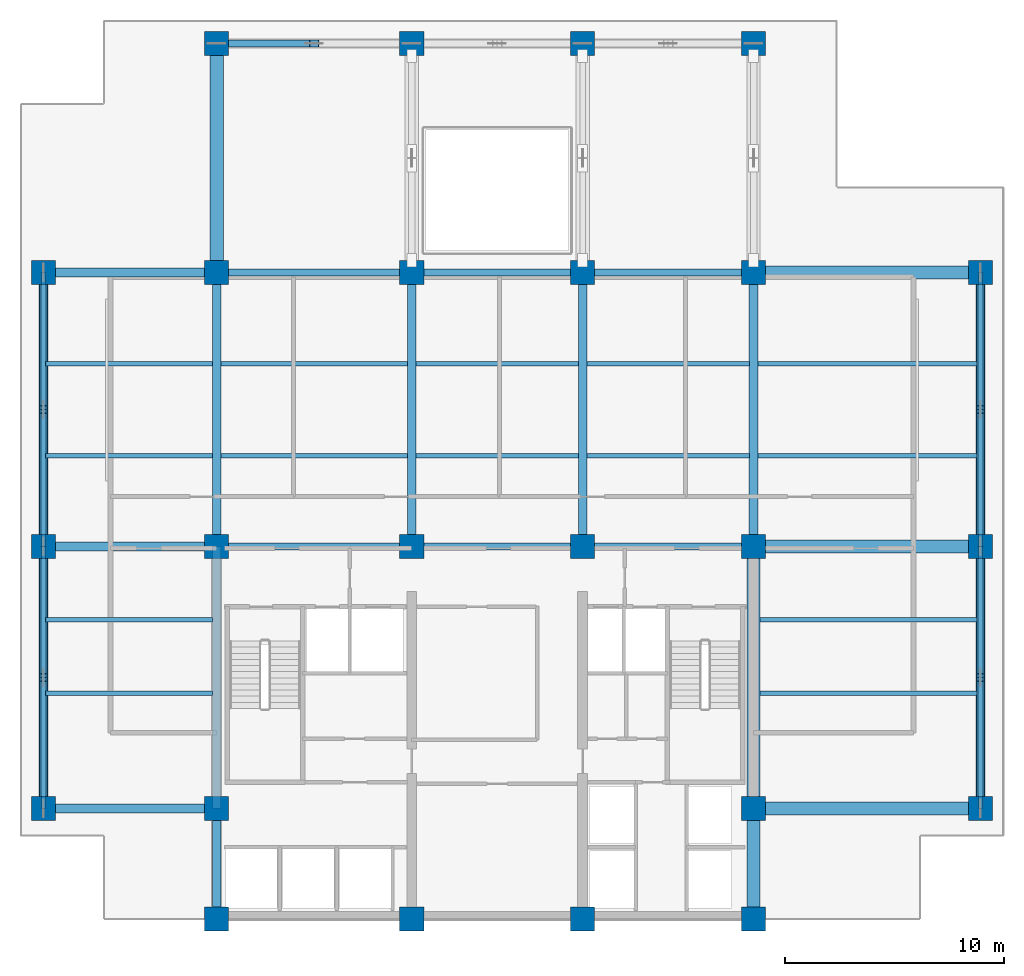
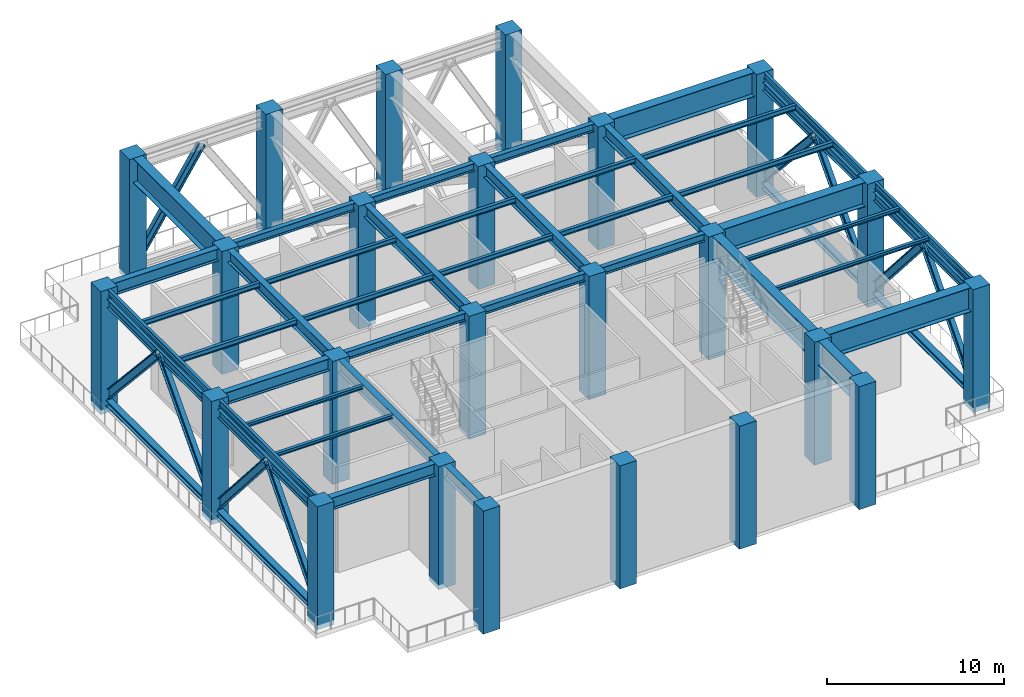
# One storey, part 1 of 7: 39 beams, 24 columns, 17 members.
"""IFC4 building model written with IfcOpenShell, lengths in metres."""

import ifcopenshell
import ifcopenshell.guid

model = None  # the IFC model being written
_history = None  # IfcOwnerHistory: only IFC2X3 demands one
_inside = {}  # id of a spatial element -> (the spatial element, [elements in it])
_under = {}  # id of a project, library or spatial element -> (it, [spatial elements below it])
_declared = {}  # id of a project -> (the project, [libraries it declares])
_typed = {}  # id of a type object -> (the type object, [elements of that type])
_made_of = {}  # id of a material, layer set ... -> (it, [elements and type objects made of it])


def new_model(schema):
    """Start an empty IFC model of exactly this schema.

    Asked for "IFC4X3", IfcOpenShell would pick the latest addendum, in which some entities
    have other attributes; the version numbers below select the first issue.
    IFC2X3 requires an IfcOwnerHistory on every rooted entity: one is made here for all.
    """
    global model, _history
    if schema == "IFC4X3":
        model = ifcopenshell.file(schema_version=(4, 3, 0, 0))
    else:
        model = ifcopenshell.file(schema=schema)
    _inside.clear()
    _under.clear()
    _declared.clear()
    _typed.clear()
    _made_of.clear()
    _history = None
    if model.schema == "IFC2X3":
        org = make("IfcOrganization", Name="unknown")
        user = make(
            "IfcPersonAndOrganization",
            ThePerson=make("IfcPerson", FamilyName="unknown"),
            TheOrganization=org,
        )
        app = make(
            "IfcApplication",
            ApplicationDeveloper=org,
            Version="unknown",
            ApplicationFullName="unknown",
            ApplicationIdentifier="unknown",
        )
        _history = make(
            "IfcOwnerHistory",
            OwningUser=user,
            OwningApplication=app,
            ChangeAction="ADDED",
            CreationDate=0,
        )
    return model


def make(cls, **values):
    """One entity of the class cls with the attributes given. An attribute that is None is left unset."""
    return model.create_entity(
        cls, **{name: value for name, value in values.items() if value is not None}
    )


def rooted(cls, **values):
    """An entity with a GlobalId (a new one), such as an element, a storey or a relation."""
    return make(cls, GlobalId=ifcopenshell.guid.new(), OwnerHistory=_history, **values)


def si_unit(unit_type, name, prefix=None):
    """IfcSIUnit, for example si_unit("LENGTHUNIT", "METRE", prefix="MILLI")."""
    return make("IfcSIUnit", UnitType=unit_type, Prefix=prefix, Name=name)


def assignment(units):
    """IfcUnitAssignment: the units of a project."""
    return None if units is None else make("IfcUnitAssignment", Units=units)


def point(xyz):
    """IfcCartesianPoint."""
    return None if xyz is None else make("IfcCartesianPoint", Coordinates=xyz)


def direction(xyz):
    """IfcDirection."""
    return None if xyz is None else make("IfcDirection", DirectionRatios=xyz)


def frame(location, z_axis=None, x_axis=None):
    """IfcAxis2Placement3D, a coordinate frame: its origin and axes. An axis left out is left unset."""
    return make(
        "IfcAxis2Placement3D",
        Location=point(location),
        Axis=direction(z_axis),
        RefDirection=direction(x_axis),
    )


def frame_2d(location, x_axis=None):
    """IfcAxis2Placement2D, a coordinate frame in the plane: its origin and x axis."""
    return make(
        "IfcAxis2Placement2D", Location=point(location), RefDirection=direction(x_axis)
    )


def origin():
    """The frame at (0, 0, 0) with its axes left unset."""
    return frame((0.0, 0.0, 0.0))


def origin_2d():
    """The frame at (0, 0) in the plane with its x axis left unset."""
    return frame_2d((0.0, 0.0))


def place(relative_to, where):
    """IfcLocalPlacement: puts the frame where relative to a parent placement (None: the world)."""
    return make(
        "IfcLocalPlacement", PlacementRelTo=relative_to, RelativePlacement=where
    )


def context(
    kind, dimensions, precision=None, world=None, true_north=None, identifier=None
):
    """IfcGeometricRepresentationContext, for example the 3D "Model" context."""
    return make(
        "IfcGeometricRepresentationContext",
        ContextIdentifier=identifier,
        ContextType=kind,
        CoordinateSpaceDimension=dimensions,
        Precision=precision,
        WorldCoordinateSystem=world,
        TrueNorth=true_north,
    )


def subcontext(parent, identifier, kind, view, scale=None):
    """IfcGeometricRepresentationSubContext, for example "Body" below "Model"."""
    return make(
        "IfcGeometricRepresentationSubContext",
        ContextIdentifier=identifier,
        ContextType=kind,
        ParentContext=parent,
        TargetScale=scale,
        TargetView=view,
    )


def project(units=None, contexts=None):
    """IfcProject with its units and contexts."""
    return rooted(
        "IfcProject",
        Name="project",
        RepresentationContexts=contexts,
        UnitsInContext=assignment(units),
    )


def spatial(cls, under=None, at=None, **own):
    """A site, building, storey or space (cls), placed at a placement, below another one or the project."""
    s = rooted(cls, ObjectPlacement=at, **own)
    if under is not None:
        _under.setdefault(under.id(), (under, []))[1].append(s)
    return s


def profile(cls, at=None, kind="AREA", **sizes):
    """A parametric profile (cls). Its sizes go by their IFC names, for example OverallWidth=200.0."""
    return make(cls, ProfileType=kind, Position=at, **sizes)


def rectangle(**sizes):
    """IfcRectangleProfileDef."""
    return profile("IfcRectangleProfileDef", **sizes)


def i_section(**sizes):
    """IfcIShapeProfileDef."""
    return profile("IfcIShapeProfileDef", **sizes)


def extrude(swept, where, along, depth):
    """IfcExtrudedAreaSolid: the profile swept, set in the frame where, extruded along a direction by depth."""
    return make(
        "IfcExtrudedAreaSolid",
        SweptArea=swept,
        Position=where,
        ExtrudedDirection=direction(along),
        Depth=depth,
    )


def shape(context_of_items, identifier, shape_type, items):
    """IfcShapeRepresentation: the items that make up one representation, for example the "Body"."""
    return make(
        "IfcShapeRepresentation",
        ContextOfItems=context_of_items,
        RepresentationIdentifier=identifier,
        RepresentationType=shape_type,
        Items=items,
    )


def material(Name=None, Category=None):
    """IfcMaterial."""
    return make("IfcMaterial", Name=Name, Category=Category)


def material_profile(
    of_material, cross_section, Name=None, Category=None, Priority=None
):
    """IfcMaterialProfile: a cross section and its material."""
    return make(
        "IfcMaterialProfile",
        Name=Name,
        Material=of_material,
        Profile=cross_section,
        Priority=Priority,
        Category=Category,
    )


def profile_set(profiles, Name=None, composite=None):
    """IfcMaterialProfileSet."""
    return make(
        "IfcMaterialProfileSet",
        Name=Name,
        MaterialProfiles=profiles,
        CompositeProfile=composite,
    )


def made_of(thing, what):
    """Note that an element or type object is made of a material, layer set ...; save() writes the relation."""
    if what is not None:
        _made_of.setdefault(what.id(), (what, []))[1].append(thing)
    return thing


def type_object(cls, material=None, **own):
    """A type object (cls), such as IfcWallType, which elements share."""
    return made_of(rooted(cls, **own), material)


def element(
    cls,
    number,
    at=None,
    inside=None,
    cuts=None,
    type_object=None,
    material=None,
    context=None,
    identifier="Body",
    shape_type=None,
    held_by="IfcProductDefinitionShape",
    body=None,
    shapes=None,
    **own,
):
    """One element of the class cls, such as IfcWall. Its Tag is "e" and its number.

    at: its placement. inside: the storey or other place that contains it. cuts: it is an
    opening in that element (IfcRelVoidsElement). A single representation is given by context,
    identifier, shape_type and body (its items); several are given by shapes. held_by: the class
    of the entity that holds the representations. save() writes the other relations.
    """
    e = rooted(cls, Tag="e%d" % number, ObjectPlacement=at, **own)
    if body is not None:
        shapes = [shape(context, identifier, shape_type, body)]
    if shapes is not None:
        e.Representation = make(held_by, Representations=shapes)
    if inside is not None:
        _inside.setdefault(inside.id(), (inside, []))[1].append(e)
    if cuts is not None:
        rooted(
            "IfcRelVoidsElement", RelatingBuildingElement=cuts, RelatedOpeningElement=e
        )
    if type_object is not None:
        _typed.setdefault(type_object.id(), (type_object, []))[1].append(e)
    return made_of(e, material)


def aggregate(whole, parts):
    """IfcRelAggregates: a whole, such as a stair, and the parts it consists of."""
    return rooted("IfcRelAggregates", RelatingObject=whole, RelatedObjects=parts)


def save(model, path):
    """Write the relations noted so far, then the file.

    IfcRelAggregates (storeys below a building ...), IfcRelContainedInSpatialStructure (elements
    in a storey), IfcRelDefinesByType, IfcRelAssociatesMaterial and IfcRelDeclares: one each for
    every whole, place, type object, material and project.
    """
    for whole, parts in _under.values():
        aggregate(whole, parts)
    for where, things in _inside.values():
        rooted(
            "IfcRelContainedInSpatialStructure",
            RelatedElements=things,
            RelatingStructure=where,
        )
    for kind, things in _typed.values():
        rooted("IfcRelDefinesByType", RelatedObjects=things, RelatingType=kind)
    for what, things in _made_of.values():
        rooted("IfcRelAssociatesMaterial", RelatedObjects=things, RelatingMaterial=what)
    for by, libraries in _declared.values():
        rooted("IfcRelDeclares", RelatingContext=by, RelatedDefinitions=libraries)
    model.write(path)


model = new_model("IFC4")

# Units and contexts
model_context = context("Model", 3, precision=1e-05, world=origin(), true_north=direction((0.0, 1.0)))
body_context = subcontext(model_context, "Body", "Model", "MODEL_VIEW")
ifc_project = project(units=[si_unit("LENGTHUNIT", "METRE"), si_unit("AREAUNIT", "SQUARE_METRE"), si_unit("VOLUMEUNIT", "CUBIC_METRE"), si_unit("PLANEANGLEUNIT", "RADIAN"), si_unit("MASSUNIT", "GRAM", prefix="KILO")], contexts=[model_context])

# Site, building, storey
site_placement = place(None, origin())
site = spatial("IfcSite", under=ifc_project, at=site_placement, CompositionType="ELEMENT")
building_placement = place(site_placement, origin())
building = spatial("IfcBuilding", under=site, at=building_placement, Name="Qalmaran Belvedere Hotel", CompositionType="ELEMENT")
storey_placement = place(building_placement, frame((0.0, 0.0, 184.10009765625)))
storey = spatial("IfcBuildingStorey", under=building, at=storey_placement, Name="L47", CompositionType="ELEMENT", Elevation=184.10009765625)

# Columns
ifc_material_1 = material(Name="Concrete C50/60", Category="concrete")
ifc_material_profile_1 = material_profile(ifc_material_1, rectangle(XDim=1.10009765625, YDim=1.10009765625, at=origin_2d()), Name="CC1100X1100")
ifc_profile_set_1 = profile_set([ifc_material_profile_1], Name="Concrete C50/60")
column_type = type_object("IfcColumnType", Name="COL-Z3-CC1100", PredefinedType="COLUMN", material=ifc_profile_set_1)
for number, where, z_axis, x_axis, name in (
    (1, (20.300048828125, 3.5, -0.320068359375), (0.0, 0.0, 1.0), (1.0, 0.0, 0.0), "L47 Column C4B"),
    (2, (29.199951171875, 3.5, -0.320068359375), (0.0, 0.0, 1.0), (1.0, 0.0, 0.0), "L47 Column C5B"),
    (3, (37.0, 3.5, -0.320068359375), (0.0, 0.0, 1.0), (1.0, 0.0, 0.0), "L47 Column C6B"),
    (4, (44.800048828125, 3.5, -0.320068359375), (0.0, 0.0, 1.0), (1.0, 0.0, 0.0), "L47 Column C7B"),
    (5, (20.300048828125, 8.550048828125, -0.320068359375), (0.0, 0.0, 1.0), (1.0, 0.0, 0.0), "L47 Column C4C"),
    (6, (44.800048828125, 8.550048828125, -0.320068359375), (0.0, 0.0, 1.0), (1.0, 0.0, 0.0), "L47 Column C7C"),
    (7, (20.300048828125, 20.5, -0.320068359375), (0.0, 0.0, 1.0), (1.0, 0.0, 0.0), "L47 Column C4D"),
    (8, (29.199951171875, 20.5, -0.320068359375), (0.0, 0.0, 1.0), (1.0, 0.0, 0.0), "L47 Column C5D"),
    (9, (37.0, 20.5, -0.320068359375), (0.0, 0.0, 1.0), (1.0, 0.0, 0.0), "L47 Column C6D"),
    (10, (44.800048828125, 20.5, -0.320068359375), (0.0, 0.0, 1.0), (1.0, 0.0, 0.0), "L47 Column C7D"),
    (11, (20.300048828125, 33.0, -0.320068359375), (0.0, 0.0, 1.0), (1.0, 0.0, 0.0), "L47 Column C4F"),
    (12, (29.199951171875, 33.0, -0.320068359375), (0.0, 0.0, 1.0), (1.0, 0.0, 0.0), "L47 Column C5F"),
    (13, (37.0, 33.0, -0.320068359375), (0.0, 0.0, 1.0), (1.0, 0.0, 0.0), "L47 Column C6F"),
    (14, (44.800048828125, 33.0, -0.320068359375), (0.0, 0.0, 1.0), (1.0, 0.0, 0.0), "L47 Column C7F"),
    (15, (12.39990234375, 8.550048828125, -0.320068359375), (0.0, 0.0, 1.0), (1.0, 0.0, 0.0), "L47 Column CW1"),
    (16, (12.39990234375, 20.5, -0.320068359375), (0.0, 0.0, 1.0), (1.0, 0.0, 0.0), "L47 Column CW3"),
    (17, (12.39990234375, 33.0, -0.320068359375), (0.0, 0.0, 1.0), (1.0, 0.0, 0.0), "L47 Column CW4"),
    (18, (55.14990234375, 8.550048828125, -0.320068359375), (0.0, 0.0, 1.0), (1.0, 0.0, 0.0), "L47 Column CE1"),
    (19, (55.14990234375, 20.5, -0.320068359375), (0.0, 0.0, 1.0), (1.0, 0.0, 0.0), "L47 Column CE3"),
    (20, (55.14990234375, 33.0, -0.320068359375), (0.0, 0.0, 1.0), (1.0, 0.0, 0.0), "L47 Column CE4"),
    (21, (20.300048828125, 43.449951171875, -0.320068359375), (0.0, 0.0, 1.0), (1.0, 0.0, 0.0), "L47 Column CN1"),
    (22, (29.199951171875, 43.449951171875, -0.320068359375), (0.0, 0.0, 1.0), (1.0, 0.0, 0.0), "L47 Column CN2"),
    (23, (37.0, 43.449951171875, -0.320068359375), (0.0, 0.0, 1.0), (1.0, 0.0, 0.0), "L47 Column CN3"),
    (24, (44.800048828125, 43.449951171875, -0.320068359375), (0.0, 0.0, 1.0), (1.0, 0.0, 0.0), "L47 Column CN4"),
):
    element("IfcColumn", number, at=place(storey_placement, frame(where, z_axis=z_axis, x_axis=x_axis)), inside=storey, type_object=column_type, Name=name, PredefinedType="COLUMN", context=body_context, shape_type="SweptSolid", body=[
        extrude(rectangle(XDim=1.10009765625, YDim=1.10009765625, at=origin_2d()), origin(), (0.0, 0.0, 1.0), 8.47998046875),
    ])

# Beams
ifc_material_2 = material(Name="Steel S355JR", Category="steel")
ifc_material_profile_2 = material_profile(ifc_material_2, i_section(OverallWidth=0.201904296875, OverallDepth=0.2470703125, WebThickness=0.00732421875, FlangeThickness=0.010986328125, FilletRadius=0.011962890625, at=origin_2d()), Name="W250X49")
ifc_profile_set_2 = profile_set([ifc_material_profile_2], Name="Steel S355JR")
beam_type_1 = type_object("IfcBeamType", Name="BM-JST-W250X49", PredefinedType="JOIST", material=ifc_profile_set_2)
beam_1_placement = place(storey_placement, frame((12.493896484375, 13.800048828125, 8.036376953125), z_axis=(1.0, 0.0, 0.0), x_axis=(0.0, 1.0, 0.0)))
element("IfcBeam", 25, at=beam_1_placement, inside=storey, type_object=beam_type_1, Name="L47 West Wing Joist 038", PredefinedType="JOIST", context=body_context, shape_type="SweptSolid", body=[
    extrude(i_section(OverallWidth=0.201904296875, OverallDepth=0.2470703125, WebThickness=0.00732421875, FlangeThickness=0.010986328125, FilletRadius=0.011962890625, at=origin_2d()), origin(), (0.0, 0.0, 1.0), 7.608154296875),
])
beam_2_placement = place(storey_placement, frame((45.097900390625, 13.800048828125, 8.036376953125), z_axis=(1.0, 0.0, 0.0), x_axis=(0.0, 1.0, 0.0)))
element("IfcBeam", 26, at=beam_2_placement, inside=storey, type_object=beam_type_1, Name="L47 East Wing Joist 039", PredefinedType="JOIST", context=body_context, shape_type="SweptSolid", body=[
    extrude(i_section(OverallWidth=0.201904296875, OverallDepth=0.2470703125, WebThickness=0.00732421875, FlangeThickness=0.010986328125, FilletRadius=0.011962890625, at=origin_2d()), origin(), (0.0, 0.0, 1.0), 9.9580078125),
])
beam_3_placement = place(storey_placement, frame((12.493896484375, 17.14990234375, 8.036376953125), z_axis=(1.0, 0.0, 0.0), x_axis=(0.0, 1.0, 0.0)))
element("IfcBeam", 27, at=beam_3_placement, inside=storey, type_object=beam_type_1, Name="L47 West Wing Joist 040", PredefinedType="JOIST", context=body_context, shape_type="SweptSolid", body=[
    extrude(i_section(OverallWidth=0.201904296875, OverallDepth=0.2470703125, WebThickness=0.00732421875, FlangeThickness=0.010986328125, FilletRadius=0.011962890625, at=origin_2d()), origin(), (0.0, 0.0, 1.0), 7.608154296875),
])
beam_4_placement = place(storey_placement, frame((45.097900390625, 17.14990234375, 8.036376953125), z_axis=(1.0, 0.0, 0.0), x_axis=(0.0, 1.0, 0.0)))
element("IfcBeam", 28, at=beam_4_placement, inside=storey, type_object=beam_type_1, Name="L47 East Wing Joist 041", PredefinedType="JOIST", context=body_context, shape_type="SweptSolid", body=[
    extrude(i_section(OverallWidth=0.201904296875, OverallDepth=0.2470703125, WebThickness=0.00732421875, FlangeThickness=0.010986328125, FilletRadius=0.011962890625, at=origin_2d()), origin(), (0.0, 0.0, 1.0), 9.9580078125),
])
ifc_material_profile_3 = material_profile(ifc_material_2, i_section(OverallWidth=0.39990234375, OverallDepth=0.85498046875, WebThickness=0.018310546875, FlangeThickness=0.029296875, FilletRadius=0.02392578125, at=origin_2d()), Name="W840X299")
ifc_profile_set_3 = profile_set([ifc_material_profile_3], Name="Steel S355JR")
beam_type_2 = type_object("IfcBeamType", Name="BM-PG3-W840X299", PredefinedType="USERDEFINED", material=ifc_profile_set_3)
for number, where, z_axis, x_axis, name in (
    (29, (20.300048828125, 20.5, 7.732421875), (0.0, 1.0, 0.0), (-1.0, 0.0, 0.0), "L47 Mid-Plate N-S Girder 14"),
    (30, (29.199951171875, 20.5, 7.732421875), (0.0, 1.0, 0.0), (-1.0, 0.0, 0.0), "L47 Mid-Plate N-S Girder 16"),
    (31, (37.0, 20.5, 7.732421875), (0.0, 1.0, 0.0), (-1.0, 0.0, 0.0), "L47 Mid-Plate N-S Girder 18"),
    (32, (44.800048828125, 20.5, 7.732421875), (0.0, 1.0, 0.0), (-1.0, 0.0, 0.0), "L47 Mid-Plate N-S Girder 20"),
):
    element("IfcBeam", number, at=place(storey_placement, frame(where, z_axis=z_axis, x_axis=x_axis)), inside=storey, type_object=beam_type_2, Name=name, ObjectType="GIRDER", PredefinedType="USERDEFINED", context=body_context, shape_type="SweptSolid", body=[
        extrude(i_section(OverallWidth=0.39990234375, OverallDepth=0.85498046875, WebThickness=0.018310546875, FlangeThickness=0.029296875, FilletRadius=0.02392578125, at=origin_2d()), origin(), (0.0, 0.0, 1.0), 12.5),
    ])
for number, where, z_axis, x_axis, name in (
    (33, (12.39990234375, 8.550048828125, 7.732421875), (1.0, 0.0, 0.0), (0.0, 1.0, 0.0), "L47 West Wing Girder 22"),
    (34, (12.39990234375, 20.5, 7.732421875), (1.0, 0.0, 0.0), (0.0, 1.0, 0.0), "L47 West Wing Girder 23"),
    (35, (12.39990234375, 33.0, 7.732421875), (1.0, 0.0, 0.0), (0.0, 1.0, 0.0), "L47 West Wing Girder 24"),
):
    element("IfcBeam", number, at=place(storey_placement, frame(where, z_axis=z_axis, x_axis=x_axis)), inside=storey, type_object=beam_type_2, Name=name, ObjectType="GIRDER", PredefinedType="USERDEFINED", context=body_context, shape_type="SweptSolid", body=[
        extrude(i_section(OverallWidth=0.39990234375, OverallDepth=0.85498046875, WebThickness=0.018310546875, FlangeThickness=0.029296875, FilletRadius=0.02392578125, at=origin_2d()), origin(), (0.0, 0.0, 1.0), 7.900146484375),
    ])
beam_5_placement = place(storey_placement, frame((20.300048828125, 3.5, 7.732421875), z_axis=(0.0, 1.0, 0.0), x_axis=(-1.0, 0.0, 0.0)))
element("IfcBeam", 36, at=beam_5_placement, inside=storey, type_object=beam_type_2, Name="L47 West Core Edge Girder A", ObjectType="GIRDER", PredefinedType="USERDEFINED", context=body_context, shape_type="SweptSolid", body=[
    extrude(i_section(OverallWidth=0.39990234375, OverallDepth=0.85498046875, WebThickness=0.018310546875, FlangeThickness=0.029296875, FilletRadius=0.02392578125, at=origin_2d()), origin(), (0.0, 0.0, 1.0), 5.050048828125),
])
beam_6_placement = place(storey_placement, frame((20.300048828125, 8.550048828125, 7.732421875), z_axis=(0.0, 1.0, 0.0), x_axis=(-1.0, 0.0, 0.0)))
element("IfcBeam", 37, at=beam_6_placement, inside=storey, type_object=beam_type_2, Name="L47 West Core Edge Girder B", ObjectType="GIRDER", PredefinedType="USERDEFINED", context=body_context, shape_type="SweptSolid", body=[
    extrude(i_section(OverallWidth=0.39990234375, OverallDepth=0.85498046875, WebThickness=0.018310546875, FlangeThickness=0.029296875, FilletRadius=0.02392578125, at=origin_2d()), origin(), (0.0, 0.0, 1.0), 11.949951171875),
])
ifc_material_profile_4 = material_profile(ifc_material_2, i_section(OverallWidth=0.205078125, OverallDepth=0.35400390625, WebThickness=0.009521484375, FlangeThickness=0.016845703125, FilletRadius=0.014892578125, at=origin_2d()), Name="W360X79")
ifc_profile_set_4 = profile_set([ifc_material_profile_4], Name="Steel S355JR")
beam_type_3 = type_object("IfcBeamType", Name="BM-SB3-W360X79", PredefinedType="BEAM", material=ifc_profile_set_4)
beam_7_placement = place(storey_placement, frame((12.493896484375, 24.64990234375, 7.98291015625), z_axis=(1.0, 0.0, 0.0), x_axis=(0.0, 1.0, 0.0)))
element("IfcBeam", 38, at=beam_7_placement, inside=storey, type_object=beam_type_3, Name="L47 West Secondary Beam 028", PredefinedType="BEAM", context=body_context, shape_type="SweptSolid", body=[
    extrude(i_section(OverallWidth=0.205078125, OverallDepth=0.35400390625, WebThickness=0.009521484375, FlangeThickness=0.016845703125, FilletRadius=0.014892578125, at=origin_2d()), origin(), (0.0, 0.0, 1.0), 7.608154296875),
])
beam_8_placement = place(storey_placement, frame((20.498046875, 24.64990234375, 7.98291015625), z_axis=(1.0, 0.0, 0.0), x_axis=(0.0, 1.0, 0.0)))
element("IfcBeam", 39, at=beam_8_placement, inside=storey, type_object=beam_type_3, Name="L47 Secondary Floor Beam 029", PredefinedType="BEAM", context=body_context, shape_type="SweptSolid", body=[
    extrude(i_section(OverallWidth=0.205078125, OverallDepth=0.35400390625, WebThickness=0.009521484375, FlangeThickness=0.016845703125, FilletRadius=0.014892578125, at=origin_2d()), origin(), (0.0, 0.0, 1.0), 8.50390625),
])
for number, where, z_axis, x_axis, name in (
    (40, (29.39794921875, 24.64990234375, 7.98291015625), (1.0, 0.0, 0.0), (0.0, 1.0, 0.0), "L47 Secondary Floor Beam 030"),
    (41, (37.197998046875, 24.64990234375, 7.98291015625), (1.0, 0.0, 0.0), (0.0, 1.0, 0.0), "L47 Secondary Floor Beam 031"),
):
    element("IfcBeam", number, at=place(storey_placement, frame(where, z_axis=z_axis, x_axis=x_axis)), inside=storey, type_object=beam_type_3, Name=name, PredefinedType="BEAM", context=body_context, shape_type="SweptSolid", body=[
        extrude(i_section(OverallWidth=0.205078125, OverallDepth=0.35400390625, WebThickness=0.009521484375, FlangeThickness=0.016845703125, FilletRadius=0.014892578125, at=origin_2d()), origin(), (0.0, 0.0, 1.0), 7.404052734375),
    ])
beam_9_placement = place(storey_placement, frame((44.998046875, 24.64990234375, 7.98291015625), z_axis=(1.0, 0.0, 0.0), x_axis=(0.0, 1.0, 0.0)))
element("IfcBeam", 42, at=beam_9_placement, inside=storey, type_object=beam_type_3, Name="L47 East Secondary Beam 032", PredefinedType="BEAM", context=body_context, shape_type="SweptSolid", body=[
    extrude(i_section(OverallWidth=0.205078125, OverallDepth=0.35400390625, WebThickness=0.009521484375, FlangeThickness=0.016845703125, FilletRadius=0.014892578125, at=origin_2d()), origin(), (0.0, 0.0, 1.0), 10.057861328125),
])
beam_10_placement = place(storey_placement, frame((12.493896484375, 28.85009765625, 7.98291015625), z_axis=(1.0, 0.0, 0.0), x_axis=(0.0, 1.0, 0.0)))
element("IfcBeam", 43, at=beam_10_placement, inside=storey, type_object=beam_type_3, Name="L47 West Secondary Beam 033", PredefinedType="BEAM", context=body_context, shape_type="SweptSolid", body=[
    extrude(i_section(OverallWidth=0.205078125, OverallDepth=0.35400390625, WebThickness=0.009521484375, FlangeThickness=0.016845703125, FilletRadius=0.014892578125, at=origin_2d()), origin(), (0.0, 0.0, 1.0), 7.608154296875),
])
beam_11_placement = place(storey_placement, frame((20.498046875, 28.85009765625, 7.98291015625), z_axis=(1.0, 0.0, 0.0), x_axis=(0.0, 1.0, 0.0)))
element("IfcBeam", 44, at=beam_11_placement, inside=storey, type_object=beam_type_3, Name="L47 Secondary Floor Beam 034", PredefinedType="BEAM", context=body_context, shape_type="SweptSolid", body=[
    extrude(i_section(OverallWidth=0.205078125, OverallDepth=0.35400390625, WebThickness=0.009521484375, FlangeThickness=0.016845703125, FilletRadius=0.014892578125, at=origin_2d()), origin(), (0.0, 0.0, 1.0), 8.50390625),
])
for number, where, z_axis, x_axis, name in (
    (45, (29.39794921875, 28.85009765625, 7.98291015625), (1.0, 0.0, 0.0), (0.0, 1.0, 0.0), "L47 Secondary Floor Beam 035"),
    (46, (37.197998046875, 28.85009765625, 7.98291015625), (1.0, 0.0, 0.0), (0.0, 1.0, 0.0), "L47 Secondary Floor Beam 036"),
):
    element("IfcBeam", number, at=place(storey_placement, frame(where, z_axis=z_axis, x_axis=x_axis)), inside=storey, type_object=beam_type_3, Name=name, PredefinedType="BEAM", context=body_context, shape_type="SweptSolid", body=[
        extrude(i_section(OverallWidth=0.205078125, OverallDepth=0.35400390625, WebThickness=0.009521484375, FlangeThickness=0.016845703125, FilletRadius=0.014892578125, at=origin_2d()), origin(), (0.0, 0.0, 1.0), 7.404052734375),
    ])
beam_12_placement = place(storey_placement, frame((44.998046875, 28.85009765625, 7.98291015625), z_axis=(1.0, 0.0, 0.0), x_axis=(0.0, 1.0, 0.0)))
element("IfcBeam", 47, at=beam_12_placement, inside=storey, type_object=beam_type_3, Name="L47 East Secondary Beam 037", PredefinedType="BEAM", context=body_context, shape_type="SweptSolid", body=[
    extrude(i_section(OverallWidth=0.205078125, OverallDepth=0.35400390625, WebThickness=0.009521484375, FlangeThickness=0.016845703125, FilletRadius=0.014892578125, at=origin_2d()), origin(), (0.0, 0.0, 1.0), 10.057861328125),
])
ifc_material_profile_5 = material_profile(ifc_material_2, i_section(OverallWidth=0.19189453125, OverallDepth=0.462890625, WebThickness=0.010498046875, FlangeThickness=0.017578125, FilletRadius=0.01611328125, at=origin_2d()), Name="W460X89")
ifc_profile_set_5 = profile_set([ifc_material_profile_5], Name="Steel S355JR")
beam_type_4 = type_object("IfcBeamType", Name="BM-SP2-W460X89", PredefinedType="SPANDREL", material=ifc_profile_set_5)
beam_13_placement = place(storey_placement, frame((12.39990234375, 8.550048828125, 7.928466796875), z_axis=(0.0, 1.0, 0.0), x_axis=(-1.0, 0.0, 0.0)))
element("IfcBeam", 48, at=beam_13_placement, inside=storey, type_object=beam_type_4, Name="L47 Perimeter Spandrel 01", PredefinedType="SPANDREL", context=body_context, shape_type="SweptSolid", body=[
    extrude(i_section(OverallWidth=0.19189453125, OverallDepth=0.462890625, WebThickness=0.010498046875, FlangeThickness=0.017578125, FilletRadius=0.01611328125, at=origin_2d()), origin(), (0.0, 0.0, 1.0), 11.949951171875),
])
beam_14_placement = place(storey_placement, frame((12.39990234375, 20.5, 7.928466796875), z_axis=(0.0, 1.0, 0.0), x_axis=(-1.0, 0.0, 0.0)))
element("IfcBeam", 49, at=beam_14_placement, inside=storey, type_object=beam_type_4, Name="L47 Perimeter Spandrel 02", PredefinedType="SPANDREL", context=body_context, shape_type="SweptSolid", body=[
    extrude(i_section(OverallWidth=0.19189453125, OverallDepth=0.462890625, WebThickness=0.010498046875, FlangeThickness=0.017578125, FilletRadius=0.01611328125, at=origin_2d()), origin(), (0.0, 0.0, 1.0), 12.5),
])
beam_15_placement = place(storey_placement, frame((55.14990234375, 8.550048828125, 7.928466796875), z_axis=(0.0, 1.0, 0.0), x_axis=(-1.0, 0.0, 0.0)))
element("IfcBeam", 50, at=beam_15_placement, inside=storey, type_object=beam_type_4, Name="L47 Perimeter Spandrel 03", PredefinedType="SPANDREL", context=body_context, shape_type="SweptSolid", body=[
    extrude(i_section(OverallWidth=0.19189453125, OverallDepth=0.462890625, WebThickness=0.010498046875, FlangeThickness=0.017578125, FilletRadius=0.01611328125, at=origin_2d()), origin(), (0.0, 0.0, 1.0), 11.949951171875),
])
beam_16_placement = place(storey_placement, frame((55.14990234375, 20.5, 7.928466796875), z_axis=(0.0, 1.0, 0.0), x_axis=(-1.0, 0.0, 0.0)))
element("IfcBeam", 51, at=beam_16_placement, inside=storey, type_object=beam_type_4, Name="L47 Perimeter Spandrel 04", PredefinedType="SPANDREL", context=body_context, shape_type="SweptSolid", body=[
    extrude(i_section(OverallWidth=0.19189453125, OverallDepth=0.462890625, WebThickness=0.010498046875, FlangeThickness=0.017578125, FilletRadius=0.01611328125, at=origin_2d()), origin(), (0.0, 0.0, 1.0), 12.5),
])
ifc_material_profile_6 = material_profile(ifc_material_2, i_section(OverallWidth=0.60009765625, OverallDepth=1.679931640625, WebThickness=0.02587890625, FlangeThickness=0.035888671875, at=origin_2d()), Name="PG1680X600X36")
ifc_profile_set_6 = profile_set([ifc_material_profile_6], Name="Steel S355JR")
beam_type_5 = type_object("IfcBeamType", Name="BM-TG5-PG1680X600", PredefinedType="USERDEFINED", material=ifc_profile_set_6)
beam_17_placement = place(storey_placement, frame((20.300048828125, 33.0, 7.31982421875), z_axis=(0.0, 1.0, 0.0), x_axis=(-1.0, 0.0, 0.0)))
element("IfcBeam", 52, at=beam_17_placement, inside=storey, type_object=beam_type_5, Name="L47 North Bay Setback Transfer Girder 15", ObjectType="GIRDER", PredefinedType="USERDEFINED", context=body_context, shape_type="SweptSolid", body=[
    extrude(i_section(OverallWidth=0.60009765625, OverallDepth=1.679931640625, WebThickness=0.02587890625, FlangeThickness=0.035888671875, at=origin_2d()), origin(), (0.0, 0.0, 1.0), 10.449951171875),
])
beam_18_placement = place(storey_placement, frame((44.800048828125, 3.5, 7.31982421875), z_axis=(0.0, 1.0, 0.0), x_axis=(-1.0, 0.0, 0.0)))
element("IfcBeam", 53, at=beam_18_placement, inside=storey, type_object=beam_type_5, Name="L47 East Core Edge Girder A", ObjectType="GIRDER", PredefinedType="USERDEFINED", context=body_context, shape_type="SweptSolid", body=[
    extrude(i_section(OverallWidth=0.60009765625, OverallDepth=1.679931640625, WebThickness=0.02587890625, FlangeThickness=0.035888671875, at=origin_2d()), origin(), (0.0, 0.0, 1.0), 5.050048828125),
])
beam_19_placement = place(storey_placement, frame((44.800048828125, 8.550048828125, 7.31982421875), z_axis=(0.0, 1.0, 0.0), x_axis=(-1.0, 0.0, 0.0)))
element("IfcBeam", 54, at=beam_19_placement, inside=storey, type_object=beam_type_5, Name="L47 East Core Edge Girder B", ObjectType="GIRDER", PredefinedType="USERDEFINED", context=body_context, shape_type="SweptSolid", body=[
    extrude(i_section(OverallWidth=0.60009765625, OverallDepth=1.679931640625, WebThickness=0.02587890625, FlangeThickness=0.035888671875, at=origin_2d()), origin(), (0.0, 0.0, 1.0), 11.949951171875),
])
for number, where, z_axis, x_axis, name in (
    (55, (44.800048828125, 8.550048828125, 7.31982421875), (1.0, 0.0, 0.0), (0.0, 1.0, 0.0), "L47 East Wing Setback Transfer Girder 25"),
    (56, (44.800048828125, 20.5, 7.31982421875), (1.0, 0.0, 0.0), (0.0, 1.0, 0.0), "L47 East Wing Setback Transfer Girder 26"),
    (57, (44.800048828125, 33.0, 7.31982421875), (1.0, 0.0, 0.0), (0.0, 1.0, 0.0), "L47 East Wing Setback Transfer Girder 27"),
):
    element("IfcBeam", number, at=place(storey_placement, frame(where, z_axis=z_axis, x_axis=x_axis)), inside=storey, type_object=beam_type_5, Name=name, ObjectType="GIRDER", PredefinedType="USERDEFINED", context=body_context, shape_type="SweptSolid", body=[
        extrude(i_section(OverallWidth=0.60009765625, OverallDepth=1.679931640625, WebThickness=0.02587890625, FlangeThickness=0.035888671875, at=origin_2d()), origin(), (0.0, 0.0, 1.0), 10.349853515625),
    ])
ifc_material_profile_7 = material_profile(ifc_material_2, i_section(OverallWidth=0.31201171875, OverallDepth=0.54296875, WebThickness=0.0126953125, FlangeThickness=0.020263671875, FilletRadius=0.01806640625, at=origin_2d()), Name="W530X150")
ifc_profile_set_7 = profile_set([ifc_material_profile_7], Name="Steel S355JR")
beam_type_6 = type_object("IfcBeamType", Name="BM-Z3-W530X150", PredefinedType="USERDEFINED", material=ifc_profile_set_7)
beam_20_placement = place(storey_placement, frame((20.300048828125, 20.5, 7.888427734375), z_axis=(1.0, 0.0, 0.0), x_axis=(0.0, 1.0, 0.0)))
element("IfcBeam", 58, at=beam_20_placement, inside=storey, type_object=beam_type_6, Name="L47 Interior E-W Girder 08", ObjectType="GIRDER", PredefinedType="USERDEFINED", context=body_context, shape_type="SweptSolid", body=[
    extrude(i_section(OverallWidth=0.31201171875, OverallDepth=0.54296875, WebThickness=0.0126953125, FlangeThickness=0.020263671875, FilletRadius=0.01806640625, at=origin_2d()), origin(), (0.0, 0.0, 1.0), 8.89990234375),
])
for number, where, z_axis, x_axis, name in (
    (59, (29.199951171875, 20.5, 7.888427734375), (1.0, 0.0, 0.0), (0.0, 1.0, 0.0), "L47 Interior E-W Girder 09"),
    (60, (37.0, 20.5, 7.888427734375), (1.0, 0.0, 0.0), (0.0, 1.0, 0.0), "L47 Interior E-W Girder 10"),
):
    element("IfcBeam", number, at=place(storey_placement, frame(where, z_axis=z_axis, x_axis=x_axis)), inside=storey, type_object=beam_type_6, Name=name, ObjectType="GIRDER", PredefinedType="USERDEFINED", context=body_context, shape_type="SweptSolid", body=[
        extrude(i_section(OverallWidth=0.31201171875, OverallDepth=0.54296875, WebThickness=0.0126953125, FlangeThickness=0.020263671875, FilletRadius=0.01806640625, at=origin_2d()), origin(), (0.0, 0.0, 1.0), 7.800048828125),
    ])
beam_21_placement = place(storey_placement, frame((20.300048828125, 33.0, 7.888427734375), z_axis=(1.0, 0.0, 0.0), x_axis=(0.0, 1.0, 0.0)))
element("IfcBeam", 61, at=beam_21_placement, inside=storey, type_object=beam_type_6, Name="L47 Interior E-W Girder 11", ObjectType="GIRDER", PredefinedType="USERDEFINED", context=body_context, shape_type="SweptSolid", body=[
    extrude(i_section(OverallWidth=0.31201171875, OverallDepth=0.54296875, WebThickness=0.0126953125, FlangeThickness=0.020263671875, FilletRadius=0.01806640625, at=origin_2d()), origin(), (0.0, 0.0, 1.0), 8.89990234375),
])
for number, where, z_axis, x_axis, name in (
    (62, (29.199951171875, 33.0, 7.888427734375), (1.0, 0.0, 0.0), (0.0, 1.0, 0.0), "L47 Interior E-W Girder 12"),
    (63, (37.0, 33.0, 7.888427734375), (1.0, 0.0, 0.0), (0.0, 1.0, 0.0), "L47 Interior E-W Girder 13"),
):
    element("IfcBeam", number, at=place(storey_placement, frame(where, z_axis=z_axis, x_axis=x_axis)), inside=storey, type_object=beam_type_6, Name=name, ObjectType="GIRDER", PredefinedType="USERDEFINED", context=body_context, shape_type="SweptSolid", body=[
        extrude(i_section(OverallWidth=0.31201171875, OverallDepth=0.54296875, WebThickness=0.0126953125, FlangeThickness=0.020263671875, FilletRadius=0.01806640625, at=origin_2d()), origin(), (0.0, 0.0, 1.0), 7.800048828125),
    ])

# Members
ifc_material_profile_8 = material_profile(ifc_material_2, i_section(OverallWidth=0.300048828125, OverallDepth=0.5, WebThickness=0.014404296875, FlangeThickness=0.028076171875, FilletRadius=0.027099609375, at=origin_2d()), Name="HEB500")
ifc_profile_set_8 = profile_set([ifc_material_profile_8], Name="Steel S355JR")
member_type_1 = type_object("IfcMemberType", Name="MEM-BR3-HEB500", PredefinedType="BRACE", material=ifc_profile_set_8)
member_1_placement = place(storey_placement, frame((12.39990234375, 8.550048828125, 0.349853515625), z_axis=(0.0, 0.656775822072, 0.754085883399), x_axis=(-1.0, 0.0, 0.0)))
element("IfcMember", 64, at=member_1_placement, inside=storey, type_object=member_type_1, Name="L47 Belt Truss Diagonal 01A", PredefinedType="BRACE", context=body_context, shape_type="SweptSolid", body=[
    extrude(i_section(OverallWidth=0.300048828125, OverallDepth=0.5, WebThickness=0.014404296875, FlangeThickness=0.028076171875, FilletRadius=0.027099609375, at=origin_2d()), origin(), (0.0, 0.0, 1.0), 9.09716796875),
])
member_2_placement = place(storey_placement, frame((12.39990234375, 20.5, 0.349853515625), z_axis=(0.0, -0.656791082268, 0.754072592165), x_axis=(1.0, 0.0, 0.0)))
element("IfcMember", 65, at=member_2_placement, inside=storey, type_object=member_type_1, Name="L47 Belt Truss Diagonal 01B", PredefinedType="BRACE", context=body_context, shape_type="SweptSolid", body=[
    extrude(i_section(OverallWidth=0.300048828125, OverallDepth=0.5, WebThickness=0.014404296875, FlangeThickness=0.028076171875, FilletRadius=0.027099609375, at=origin_2d()), origin(), (0.0, 0.0, 1.0), 9.097412109375),
])
for number, where, z_axis, x_axis, name in (
    (66, (12.39990234375, 20.5, 0.349853515625), (0.0, 0.673471149142, 0.739213508584), (-1.0, 0.0, 0.0), "L47 Belt Truss Diagonal 02A"),
    (67, (12.39990234375, 33.0, 0.349853515625), (0.0, -0.673471149142, 0.739213508584), (1.0, 0.0, 0.0), "L47 Belt Truss Diagonal 02B"),
):
    element("IfcMember", number, at=place(storey_placement, frame(where, z_axis=z_axis, x_axis=x_axis)), inside=storey, type_object=member_type_1, Name=name, PredefinedType="BRACE", context=body_context, shape_type="SweptSolid", body=[
        extrude(i_section(OverallWidth=0.300048828125, OverallDepth=0.5, WebThickness=0.014404296875, FlangeThickness=0.028076171875, FilletRadius=0.027099609375, at=origin_2d()), origin(), (0.0, 0.0, 1.0), 9.2802734375),
    ])
member_3_placement = place(storey_placement, frame((55.14990234375, 8.550048828125, 0.349853515625), z_axis=(0.0, 0.656775822072, 0.754085883399), x_axis=(-1.0, 0.0, 0.0)))
element("IfcMember", 68, at=member_3_placement, inside=storey, type_object=member_type_1, Name="L47 Belt Truss Diagonal 03A", PredefinedType="BRACE", context=body_context, shape_type="SweptSolid", body=[
    extrude(i_section(OverallWidth=0.300048828125, OverallDepth=0.5, WebThickness=0.014404296875, FlangeThickness=0.028076171875, FilletRadius=0.027099609375, at=origin_2d()), origin(), (0.0, 0.0, 1.0), 9.09716796875),
])
member_4_placement = place(storey_placement, frame((55.14990234375, 20.5, 0.349853515625), z_axis=(0.0, -0.656791082268, 0.754072592165), x_axis=(1.0, 0.0, 0.0)))
element("IfcMember", 69, at=member_4_placement, inside=storey, type_object=member_type_1, Name="L47 Belt Truss Diagonal 03B", PredefinedType="BRACE", context=body_context, shape_type="SweptSolid", body=[
    extrude(i_section(OverallWidth=0.300048828125, OverallDepth=0.5, WebThickness=0.014404296875, FlangeThickness=0.028076171875, FilletRadius=0.027099609375, at=origin_2d()), origin(), (0.0, 0.0, 1.0), 9.097412109375),
])
for number, where, z_axis, x_axis, name in (
    (70, (55.14990234375, 20.5, 0.349853515625), (0.0, 0.673471149142, 0.739213508584), (-1.0, 0.0, 0.0), "L47 Belt Truss Diagonal 04A"),
    (71, (55.14990234375, 33.0, 0.349853515625), (0.0, -0.673471149142, 0.739213508584), (1.0, 0.0, 0.0), "L47 Belt Truss Diagonal 04B"),
):
    element("IfcMember", number, at=place(storey_placement, frame(where, z_axis=z_axis, x_axis=x_axis)), inside=storey, type_object=member_type_1, Name=name, PredefinedType="BRACE", context=body_context, shape_type="SweptSolid", body=[
        extrude(i_section(OverallWidth=0.300048828125, OverallDepth=0.5, WebThickness=0.014404296875, FlangeThickness=0.028076171875, FilletRadius=0.027099609375, at=origin_2d()), origin(), (0.0, 0.0, 1.0), 9.2802734375),
    ])
member_5_placement = place(storey_placement, frame((20.300048828125, 43.449951171875, 0.349853515625), z_axis=(0.544204168445, 0.0, 0.838952813361), x_axis=(0.0, 1.0, 0.0)))
element("IfcMember", 72, at=member_5_placement, inside=storey, type_object=member_type_1, Name="L47 Belt Truss Diagonal 05A", PredefinedType="BRACE", context=body_context, shape_type="SweptSolid", body=[
    extrude(i_section(OverallWidth=0.300048828125, OverallDepth=0.5, WebThickness=0.014404296875, FlangeThickness=0.028076171875, FilletRadius=0.027099609375, at=origin_2d()), origin(), (0.0, 0.0, 1.0), 8.177001953125),
])
ifc_material_profile_9 = material_profile(ifc_material_2, i_section(OverallWidth=0.40087890625, OverallDepth=0.39892578125, WebThickness=0.02490234375, FlangeThickness=0.03955078125, FilletRadius=0.014892578125, at=origin_2d()), Name="HD400X314")
ifc_profile_set_9 = profile_set([ifc_material_profile_9], Name="Steel S355JR")
member_type_2 = type_object("IfcMemberType", Name="MEM-CH1-HD400X314", PredefinedType="CHORD", material=ifc_profile_set_9)
member_6_placement = place(storey_placement, frame((12.39990234375, 8.550048828125, 0.349853515625), z_axis=(0.0, 1.0, 0.0), x_axis=(-1.0, 0.0, 0.0)))
element("IfcMember", 73, at=member_6_placement, inside=storey, type_object=member_type_2, Name="L47 Belt Truss Bottom Chord 01", PredefinedType="CHORD", context=body_context, shape_type="SweptSolid", body=[
    extrude(i_section(OverallWidth=0.40087890625, OverallDepth=0.39892578125, WebThickness=0.02490234375, FlangeThickness=0.03955078125, FilletRadius=0.014892578125, at=origin_2d()), origin(), (0.0, 0.0, 1.0), 11.949951171875),
])
member_7_placement = place(storey_placement, frame((12.39990234375, 20.5, 0.349853515625), z_axis=(0.0, 1.0, 0.0), x_axis=(-1.0, 0.0, 0.0)))
element("IfcMember", 74, at=member_7_placement, inside=storey, type_object=member_type_2, Name="L47 Belt Truss Bottom Chord 02", PredefinedType="CHORD", context=body_context, shape_type="SweptSolid", body=[
    extrude(i_section(OverallWidth=0.40087890625, OverallDepth=0.39892578125, WebThickness=0.02490234375, FlangeThickness=0.03955078125, FilletRadius=0.014892578125, at=origin_2d()), origin(), (0.0, 0.0, 1.0), 12.5),
])
member_8_placement = place(storey_placement, frame((55.14990234375, 8.550048828125, 0.349853515625), z_axis=(0.0, 1.0, 0.0), x_axis=(-1.0, 0.0, 0.0)))
element("IfcMember", 75, at=member_8_placement, inside=storey, type_object=member_type_2, Name="L47 Belt Truss Bottom Chord 03", PredefinedType="CHORD", context=body_context, shape_type="SweptSolid", body=[
    extrude(i_section(OverallWidth=0.40087890625, OverallDepth=0.39892578125, WebThickness=0.02490234375, FlangeThickness=0.03955078125, FilletRadius=0.014892578125, at=origin_2d()), origin(), (0.0, 0.0, 1.0), 11.949951171875),
])
member_9_placement = place(storey_placement, frame((55.14990234375, 20.5, 0.349853515625), z_axis=(0.0, 1.0, 0.0), x_axis=(-1.0, 0.0, 0.0)))
element("IfcMember", 76, at=member_9_placement, inside=storey, type_object=member_type_2, Name="L47 Belt Truss Bottom Chord 04", PredefinedType="CHORD", context=body_context, shape_type="SweptSolid", body=[
    extrude(i_section(OverallWidth=0.40087890625, OverallDepth=0.39892578125, WebThickness=0.02490234375, FlangeThickness=0.03955078125, FilletRadius=0.014892578125, at=origin_2d()), origin(), (0.0, 0.0, 1.0), 12.5),
])
ifc_material_profile_10 = material_profile(ifc_material_2, i_section(OverallWidth=0.300048828125, OverallDepth=0.60009765625, WebThickness=0.015380859375, FlangeThickness=0.028076171875, FilletRadius=0.027099609375, at=origin_2d()), Name="HEB600")
ifc_profile_set_10 = profile_set([ifc_material_profile_10], Name="Steel S355JR")
member_type_3 = type_object("IfcMemberType", Name="MEM-CH2-HEB600", PredefinedType="CHORD", material=ifc_profile_set_10)
member_10_placement = place(storey_placement, frame((12.39990234375, 8.550048828125, 7.2099609375), z_axis=(0.0, 1.0, 0.0), x_axis=(-1.0, 0.0, 0.0)))
element("IfcMember", 77, at=member_10_placement, inside=storey, type_object=member_type_3, Name="L47 Belt Truss Top Chord 01", PredefinedType="CHORD", context=body_context, shape_type="SweptSolid", body=[
    extrude(i_section(OverallWidth=0.300048828125, OverallDepth=0.60009765625, WebThickness=0.015380859375, FlangeThickness=0.028076171875, FilletRadius=0.027099609375, at=origin_2d()), origin(), (0.0, 0.0, 1.0), 11.949951171875),
])
member_11_placement = place(storey_placement, frame((12.39990234375, 20.5, 7.2099609375), z_axis=(0.0, 1.0, 0.0), x_axis=(-1.0, 0.0, 0.0)))
element("IfcMember", 78, at=member_11_placement, inside=storey, type_object=member_type_3, Name="L47 Belt Truss Top Chord 02", PredefinedType="CHORD", context=body_context, shape_type="SweptSolid", body=[
    extrude(i_section(OverallWidth=0.300048828125, OverallDepth=0.60009765625, WebThickness=0.015380859375, FlangeThickness=0.028076171875, FilletRadius=0.027099609375, at=origin_2d()), origin(), (0.0, 0.0, 1.0), 12.5),
])
member_12_placement = place(storey_placement, frame((55.14990234375, 8.550048828125, 7.2099609375), z_axis=(0.0, 1.0, 0.0), x_axis=(-1.0, 0.0, 0.0)))
element("IfcMember", 79, at=member_12_placement, inside=storey, type_object=member_type_3, Name="L47 Belt Truss Top Chord 03", PredefinedType="CHORD", context=body_context, shape_type="SweptSolid", body=[
    extrude(i_section(OverallWidth=0.300048828125, OverallDepth=0.60009765625, WebThickness=0.015380859375, FlangeThickness=0.028076171875, FilletRadius=0.027099609375, at=origin_2d()), origin(), (0.0, 0.0, 1.0), 11.949951171875),
])
member_13_placement = place(storey_placement, frame((55.14990234375, 20.5, 7.2099609375), z_axis=(0.0, 1.0, 0.0), x_axis=(-1.0, 0.0, 0.0)))
element("IfcMember", 80, at=member_13_placement, inside=storey, type_object=member_type_3, Name="L47 Belt Truss Top Chord 04", PredefinedType="CHORD", context=body_context, shape_type="SweptSolid", body=[
    extrude(i_section(OverallWidth=0.300048828125, OverallDepth=0.60009765625, WebThickness=0.015380859375, FlangeThickness=0.028076171875, FilletRadius=0.027099609375, at=origin_2d()), origin(), (0.0, 0.0, 1.0), 12.5),
])

save(model, "model.ifc")
